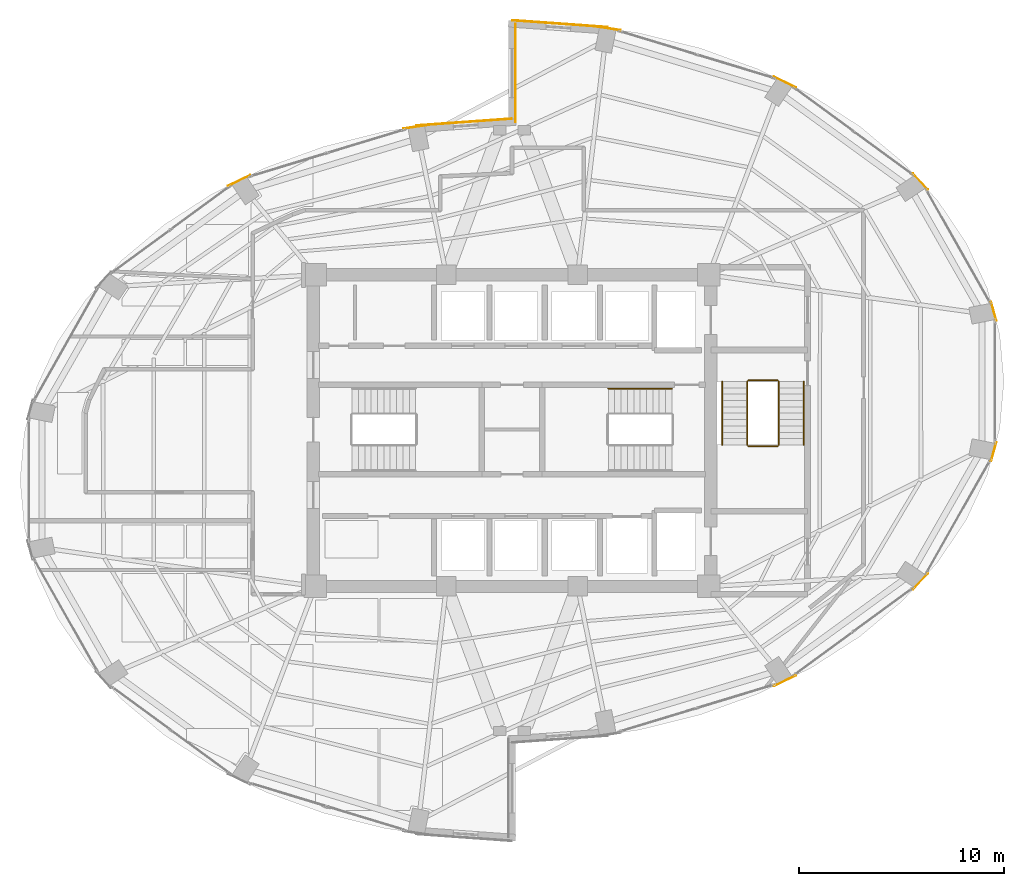
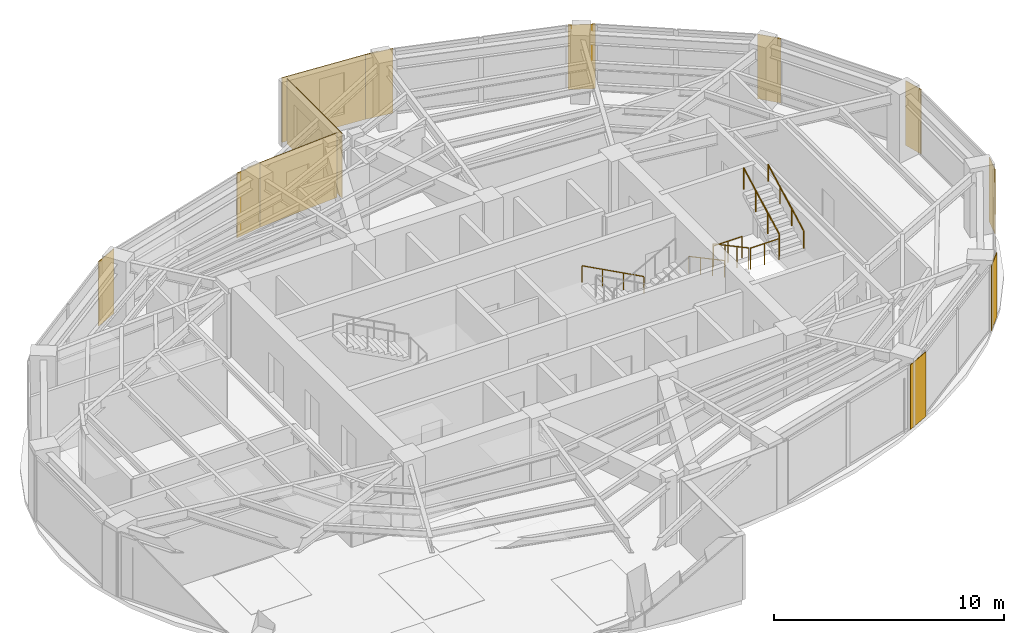
# One storey, part 20 of 20: 12 coverings, 7 railings.
"""IFC4 building model written with IfcOpenShell, lengths in metres."""

from ifc_helpers import new_model, si_unit, direction, frame, origin, origin_2d, place, context, subcontext, project, spatial, rectangle, circle, extrude, material, layer, layer_set, type_object, element, save


model = new_model("IFC4")

# Units and contexts
model_context = context("Model", 3, precision=1e-05, world=origin(), true_north=direction((0.0, 1.0)))
body_context = subcontext(model_context, "Body", "Model", "MODEL_VIEW")
ifc_project = project(units=[si_unit("LENGTHUNIT", "METRE"), si_unit("AREAUNIT", "SQUARE_METRE"), si_unit("VOLUMEUNIT", "CUBIC_METRE"), si_unit("PLANEANGLEUNIT", "RADIAN"), si_unit("MASSUNIT", "GRAM", prefix="KILO")], contexts=[model_context])

# Site, building, storey
site_placement = place(None, origin())
site = spatial("IfcSite", under=ifc_project, at=site_placement, CompositionType="ELEMENT")
building_placement = place(site_placement, origin())
building = spatial("IfcBuilding", under=site, at=building_placement, Name="Lazwardi Medical Tower", CompositionType="ELEMENT")
storey_placement = place(building_placement, frame((0.0, 0.0, 178.416015625)))
storey = spatial("IfcBuildingStorey", under=building, at=storey_placement, Name="L46", CompositionType="ELEMENT", Elevation=178.416015625)

# Coverings
ifc_material_1 = material(Name="Anodised bronze aluminium cassette cladding", Category="aluminium")
ifc_layer_1 = layer(ifc_material_1, 0.030029296875)
ifc_layer_set_1 = layer_set([ifc_layer_1], Name="Anodised bronze aluminium cassette cladding")
covering_type_1 = type_object("IfcCoveringType", Name="COV-CLD-BRZ", PredefinedType="CLADDING", material=ifc_layer_set_1)
covering_1_placement = place(storey_placement, frame((49.31103515625, 15.798095703125, 0.0), z_axis=(0.0, 0.0, 1.0), x_axis=(0.898079014814, 0.439834154144, 0.0)))
element("IfcCovering", 1, at=covering_1_placement, inside=storey, type_object=covering_type_1, Name="L46 Mega-column bronze cassette cover M02", PredefinedType="CLADDING", context=body_context, shape_type="SweptSolid", body=[
    extrude(rectangle(XDim=1.200439453125, YDim=0.030029296875, at=origin_2d()), origin(), (0.0, 0.0, 1.0), 3.427978515625),
])
covering_2_placement = place(storey_placement, frame((55.92138671875, 20.643310546875, 0.0), z_axis=(0.0, 0.0, 1.0), x_axis=(0.673714459537, 0.738991763832, 0.0)))
element("IfcCovering", 2, at=covering_2_placement, inside=storey, type_object=covering_type_1, Name="L46 Mega-column bronze cassette cover M03", PredefinedType="CLADDING", context=body_context, shape_type="SweptSolid", body=[
    extrude(rectangle(XDim=1.0693359375, YDim=0.030029296875, at=origin_2d()), origin(), (0.0, 0.0, 1.0), 3.427978515625),
])
for number, where, z_axis, x_axis, name in (
    (3, (59.498779296875, 26.973876953125, 0.0), (0.0, 0.0, 1.0), (0.261828726257, 0.965114354938, 0.0), "L46 Mega-column bronze cassette cover M04"),
    (4, (59.498779296875, 33.826171875, 0.0), (0.0, 0.0, 1.0), (-0.261828726257, 0.965114354938, 0.0), "L46 Mega-column bronze cassette cover M05"),
):
    element("IfcCovering", number, at=place(storey_placement, frame(where, z_axis=z_axis, x_axis=x_axis)), inside=storey, type_object=covering_type_1, Name=name, PredefinedType="CLADDING", context=body_context, shape_type="SweptSolid", body=[
        extrude(rectangle(XDim=0.9658203125, YDim=0.030029296875, at=origin_2d()), origin(), (0.0, 0.0, 1.0), 3.427978515625),
    ])
covering_3_placement = place(storey_placement, frame((55.92138671875, 40.15673828125, 0.0), z_axis=(0.0, 0.0, 1.0), x_axis=(-0.673714459537, 0.738991763832, 0.0)))
element("IfcCovering", 5, at=covering_3_placement, inside=storey, type_object=covering_type_1, Name="L46 Mega-column bronze cassette cover M06", PredefinedType="CLADDING", context=body_context, shape_type="SweptSolid", body=[
    extrude(rectangle(XDim=1.0693359375, YDim=0.030029296875, at=origin_2d()), origin(), (0.0, 0.0, 1.0), 3.427978515625),
])
covering_4_placement = place(storey_placement, frame((49.31103515625, 45.001953125, 0.0), z_axis=(0.0, 0.0, 1.0), x_axis=(-0.898079014814, 0.439834154144, 0.0)))
element("IfcCovering", 6, at=covering_4_placement, inside=storey, type_object=covering_type_1, Name="L46 Mega-column bronze cassette cover M07", PredefinedType="CLADDING", context=body_context, shape_type="SweptSolid", body=[
    extrude(rectangle(XDim=1.200439453125, YDim=0.030029296875, at=origin_2d()), origin(), (0.0, 0.0, 1.0), 3.427978515625),
])
for number, where, z_axis, x_axis, name in (
    (7, (40.67431640625, 47.6240234375, 0.0), (0.0, 0.0, 1.0), (-0.989539138138, 0.144264666823, 0.0), "L46 Mega-column bronze cassette cover M08"),
    (8, (31.32568359375, 42.82421875, 0.0), (0.0, 0.0, 1.0), (-0.989539138138, -0.144264666823, 0.0), "L46 Mega-column bronze cassette cover M09"),
):
    element("IfcCovering", number, at=place(storey_placement, frame(where, z_axis=z_axis, x_axis=x_axis)), inside=storey, type_object=covering_type_1, Name=name, PredefinedType="CLADDING", context=body_context, shape_type="SweptSolid", body=[
        extrude(rectangle(XDim=1.28515625, YDim=0.030029296875, at=origin_2d()), origin(), (0.0, 0.0, 1.0), 3.427978515625),
    ])
covering_5_placement = place(storey_placement, frame((22.68896484375, 40.201904296875, 0.0), z_axis=(0.0, 0.0, 1.0), x_axis=(-0.898079014814, -0.439834154144, 0.0)))
element("IfcCovering", 9, at=covering_5_placement, inside=storey, type_object=covering_type_1, Name="L46 Mega-column bronze cassette cover M10", PredefinedType="CLADDING", context=body_context, shape_type="SweptSolid", body=[
    extrude(rectangle(XDim=1.200439453125, YDim=0.030029296875, at=origin_2d()), origin(), (0.0, 0.0, 1.0), 3.427978515625),
])
ifc_material_2 = material(Name="Turquoise glazed ceramic tilework cladding", Category="masonry")
ifc_layer_2 = layer(ifc_material_2, 0.034912109375)
ifc_layer_set_2 = layer_set([ifc_layer_2], Name="Turquoise glazed ceramic tilework cladding")
covering_type_2 = type_object("IfcCoveringType", Name="COV-CLD-TRQ", PredefinedType="CLADDING", material=ifc_layer_set_2)
covering_6_placement = place(storey_placement, frame((38.338134765625, 47.847412109375, 0.0), z_axis=(0.0, 0.0, 1.0), x_axis=(-0.997414510753, 0.071863020663, 0.0)))
element("IfcCovering", 10, at=covering_6_placement, inside=storey, type_object=covering_type_2, Name="L46 Turquoise glazed ceramic tilework cladding", PredefinedType="CLADDING", context=body_context, shape_type="SweptSolid", body=[
    extrude(rectangle(XDim=4.6630859375, YDim=0.034912109375, at=origin_2d()), origin(), (0.0, 0.0, 1.0), 3.427978515625),
])
covering_7_placement = place(storey_placement, frame((33.66162109375, 43.047607421875, 0.0), z_axis=(0.0, 0.0, 1.0), x_axis=(-0.997414134466, -0.071868243112, 0.0)))
element("IfcCovering", 11, at=covering_7_placement, inside=storey, type_object=covering_type_2, Name="L46 Turquoise glazed ceramic tilework cladding", PredefinedType="CLADDING", context=body_context, shape_type="SweptSolid", body=[
    extrude(rectangle(XDim=4.66259765625, YDim=0.034912109375, at=origin_2d()), origin(), (0.0, 0.0, 1.0), 3.427978515625),
])
covering_8_placement = place(storey_placement, frame((36.175537109375, 45.43994140625, 0.0), z_axis=(0.0, 0.0, 1.0), x_axis=(0.0, -1.0, 0.0)))
element("IfcCovering", 12, at=covering_8_placement, inside=storey, type_object=covering_type_2, Name="L46 Turquoise glazed ceramic tilework iwan panel", PredefinedType="CLADDING", context=body_context, shape_type="SweptSolid", body=[
    extrude(rectangle(XDim=4.800048828125, YDim=0.034912109375, at=origin_2d()), origin(), (0.0, 0.0, 1.0), 3.427978515625),
])

# Railings
ifc_material_3 = material(Name="Stainless steel Grade 316", Category="steel")
railing_type_1 = type_object("IfcRailingType", Name="RLG-GRD-1150", PredefinedType="GUARDRAIL", material=ifc_material_3)
railing_1_placement = place(storey_placement, frame((47.469970703125, 30.39990234375, 0.165771484375)))
element("IfcRailing", 13, at=railing_1_placement, inside=storey, type_object=railing_type_1, Name="L46 ST3 stair guard 1", PredefinedType="GUARDRAIL", context=body_context, shape_type="SweptSolid", body=[
    extrude(circle(Radius=0.02392578125, at=origin_2d()), frame((0.0, 0.0, 1.1259765625), z_axis=(0.0, -0.881767849116, 0.471683644262), x_axis=(1.0, 0.0, 0.0)), (0.0, 0.0, 1.0), 3.515380859375),
    extrude(circle(Radius=0.02099609375, at=origin_2d()), origin(), (0.0, 0.0, 1.0), 1.099853515625),
    extrude(circle(Radius=0.02099609375, at=origin_2d()), frame((0.0, -1.033203125, 0.552734375)), (0.0, 0.0, 1.0), 1.099853515625),
    extrude(circle(Radius=0.02099609375, at=origin_2d()), frame((0.0, -2.066650390625, 1.10546875)), (0.0, 0.0, 1.0), 1.099853515625),
    extrude(circle(Radius=0.02099609375, at=origin_2d()), frame((0.0, -3.099853515625, 1.658203125)), (0.0, 0.0, 1.0), 1.099853515625),
])
railing_2_placement = place(storey_placement, frame((47.52001953125, 27.25, 1.823974609375)))
element("IfcRailing", 14, at=railing_2_placement, inside=storey, type_object=railing_type_1, Name="L46 ST3 stair guard 2", PredefinedType="GUARDRAIL", context=body_context, shape_type="SweptSolid", body=[
    extrude(circle(Radius=0.02392578125, at=origin_2d()), frame((0.0, 0.0, 1.1259765625), z_axis=(1.0, 0.0, 0.0), x_axis=(0.0, 1.0, 0.0)), (0.0, 0.0, 1.0), 1.43994140625),
    extrude(circle(Radius=0.02099609375, at=origin_2d()), origin(), (0.0, 0.0, 1.0), 1.099853515625),
    extrude(circle(Radius=0.02099609375, at=origin_2d()), frame((0.719970703125, 0.0, 0.0)), (0.0, 0.0, 1.0), 1.099853515625),
    extrude(circle(Radius=0.02099609375, at=origin_2d()), frame((1.43994140625, 0.0, 0.0)), (0.0, 0.0, 1.0), 1.099853515625),
])
railing_3_placement = place(storey_placement, frame((49.010009765625, 27.300048828125, 1.98974609375)))
element("IfcRailing", 15, at=railing_3_placement, inside=storey, type_object=railing_type_1, Name="L46 ST3 stair guard 3", PredefinedType="GUARDRAIL", context=body_context, shape_type="SweptSolid", body=[
    extrude(circle(Radius=0.02392578125, at=origin_2d()), frame((0.0, 0.0, 1.1259765625), z_axis=(0.0, 0.881767849116, 0.471683644262), x_axis=(-1.0, 0.0, 0.0)), (0.0, 0.0, 1.0), 3.515380859375),
    extrude(circle(Radius=0.02099609375, at=origin_2d()), origin(), (0.0, 0.0, 1.0), 1.099853515625),
    extrude(circle(Radius=0.02099609375, at=origin_2d()), frame((0.0, 1.033203125, 0.552734375)), (0.0, 0.0, 1.0), 1.099853515625),
    extrude(circle(Radius=0.02099609375, at=origin_2d()), frame((0.0, 2.066650390625, 1.10546875)), (0.0, 0.0, 1.0), 1.099853515625),
    extrude(circle(Radius=0.02099609375, at=origin_2d()), frame((0.0, 3.099853515625, 1.658203125)), (0.0, 0.0, 1.0), 1.099853515625),
])
railing_4_placement = place(storey_placement, frame((47.52001953125, 30.449951171875, 0.0)))
element("IfcRailing", 16, at=railing_4_placement, inside=storey, type_object=railing_type_1, Name="L46 ST3 stair guard 4", PredefinedType="GUARDRAIL", context=body_context, shape_type="SweptSolid", body=[
    extrude(circle(Radius=0.02392578125, at=origin_2d()), frame((0.0, 0.0, 1.1259765625), z_axis=(1.0, 0.0, 0.0), x_axis=(0.0, 1.0, 0.0)), (0.0, 0.0, 1.0), 1.43994140625),
    extrude(circle(Radius=0.02099609375, at=origin_2d()), origin(), (0.0, 0.0, 1.0), 1.099853515625),
    extrude(circle(Radius=0.02099609375, at=origin_2d()), frame((0.719970703125, 0.0, 0.0)), (0.0, 0.0, 1.0), 1.099853515625),
    extrude(circle(Radius=0.02099609375, at=origin_2d()), frame((1.43994140625, 0.0, 0.0)), (0.0, 0.0, 1.0), 1.099853515625),
])
railing_type_2 = type_object("IfcRailingType", Name="RLG-HND-920", PredefinedType="HANDRAIL", material=ifc_material_3)
railing_5_placement = place(storey_placement, frame((43.800048828125, 30.050048828125, 0.165771484375)))
element("IfcRailing", 17, at=railing_5_placement, inside=storey, type_object=railing_type_2, Name="L46 ST2 stair handrail 1", PredefinedType="HANDRAIL", context=body_context, shape_type="SweptSolid", body=[
    extrude(circle(Radius=0.02392578125, at=origin_2d()), frame((0.0, 0.0, 0.8857421875), z_axis=(-0.881783298633, 0.0, 0.471654761719), x_axis=(0.0, -1.0, 0.0)), (0.0, 0.0, 1.0), 3.515625),
    extrude(circle(Radius=0.02099609375, at=origin_2d()), origin(), (0.0, 0.0, 1.0), 0.85986328125),
    extrude(circle(Radius=0.02099609375, at=origin_2d()), frame((-1.033447265625, 0.0, 0.552734375)), (0.0, 0.0, 1.0), 0.85986328125),
    extrude(circle(Radius=0.02099609375, at=origin_2d()), frame((-2.066650390625, 0.0, 1.10546875)), (0.0, 0.0, 1.0), 0.85986328125),
    extrude(circle(Radius=0.02099609375, at=origin_2d()), frame((-3.10009765625, 0.0, 1.658203125)), (0.0, 0.0, 1.0), 0.85986328125),
])
railing_6_placement = place(storey_placement, frame((46.25, 30.39990234375, 0.165771484375)))
element("IfcRailing", 18, at=railing_6_placement, inside=storey, type_object=railing_type_2, Name="L46 ST3 stair handrail 1", PredefinedType="HANDRAIL", context=body_context, shape_type="SweptSolid", body=[
    extrude(circle(Radius=0.02392578125, at=origin_2d()), frame((0.0, 0.0, 0.8857421875), z_axis=(0.0, -0.881767849116, 0.471683644262), x_axis=(1.0, 0.0, 0.0)), (0.0, 0.0, 1.0), 3.515380859375),
    extrude(circle(Radius=0.02099609375, at=origin_2d()), origin(), (0.0, 0.0, 1.0), 0.85986328125),
    extrude(circle(Radius=0.02099609375, at=origin_2d()), frame((0.0, -1.033203125, 0.552734375)), (0.0, 0.0, 1.0), 0.85986328125),
    extrude(circle(Radius=0.02099609375, at=origin_2d()), frame((0.0, -2.066650390625, 1.10546875)), (0.0, 0.0, 1.0), 0.85986328125),
    extrude(circle(Radius=0.02099609375, at=origin_2d()), frame((0.0, -3.099853515625, 1.658203125)), (0.0, 0.0, 1.0), 0.85986328125),
])
railing_7_placement = place(storey_placement, frame((50.22998046875, 27.300048828125, 1.98974609375)))
element("IfcRailing", 19, at=railing_7_placement, inside=storey, type_object=railing_type_2, Name="L46 ST3 stair handrail 2", PredefinedType="HANDRAIL", context=body_context, shape_type="SweptSolid", body=[
    extrude(circle(Radius=0.02392578125, at=origin_2d()), frame((0.0, 0.0, 0.8857421875), z_axis=(0.0, 0.881767849116, 0.471683644262), x_axis=(-1.0, 0.0, 0.0)), (0.0, 0.0, 1.0), 3.515380859375),
    extrude(circle(Radius=0.02099609375, at=origin_2d()), origin(), (0.0, 0.0, 1.0), 0.85986328125),
    extrude(circle(Radius=0.02099609375, at=origin_2d()), frame((0.0, 1.033203125, 0.552734375)), (0.0, 0.0, 1.0), 0.85986328125),
    extrude(circle(Radius=0.02099609375, at=origin_2d()), frame((0.0, 2.066650390625, 1.10546875)), (0.0, 0.0, 1.0), 0.85986328125),
    extrude(circle(Radius=0.02099609375, at=origin_2d()), frame((0.0, 3.099853515625, 1.658203125)), (0.0, 0.0, 1.0), 0.85986328125),
])

save(model, "model.ifc")
